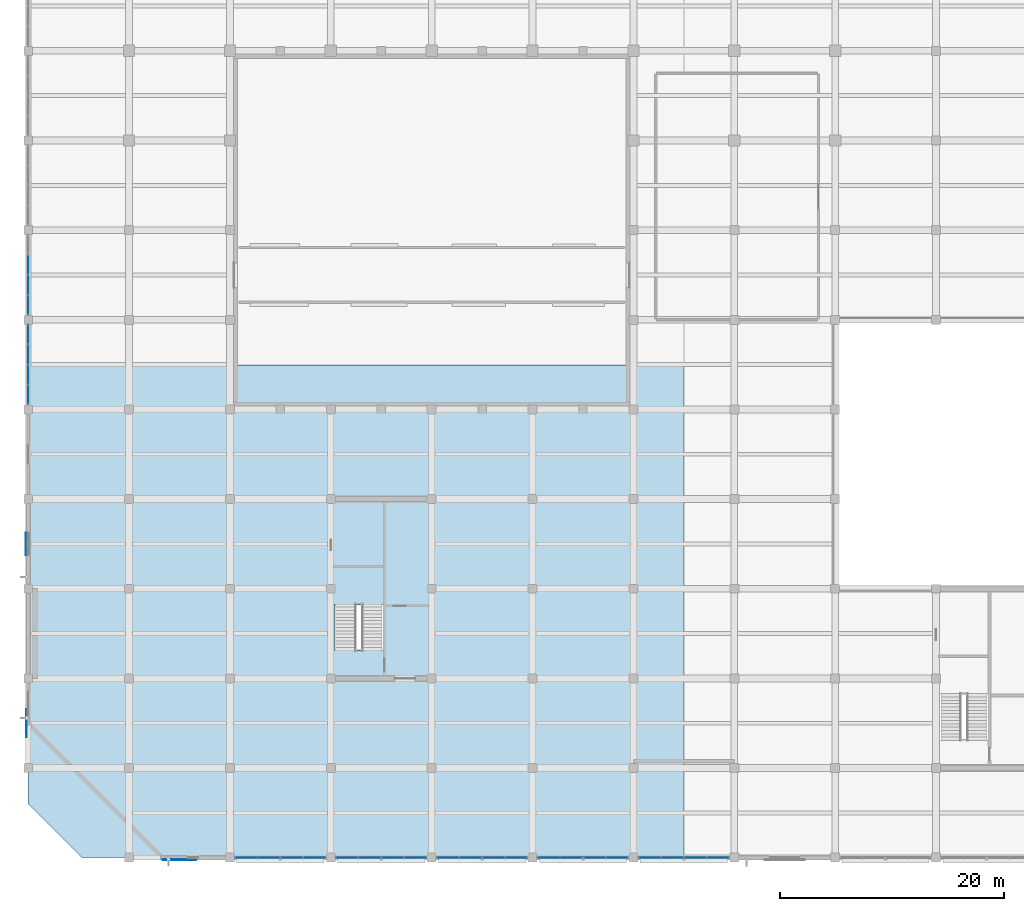
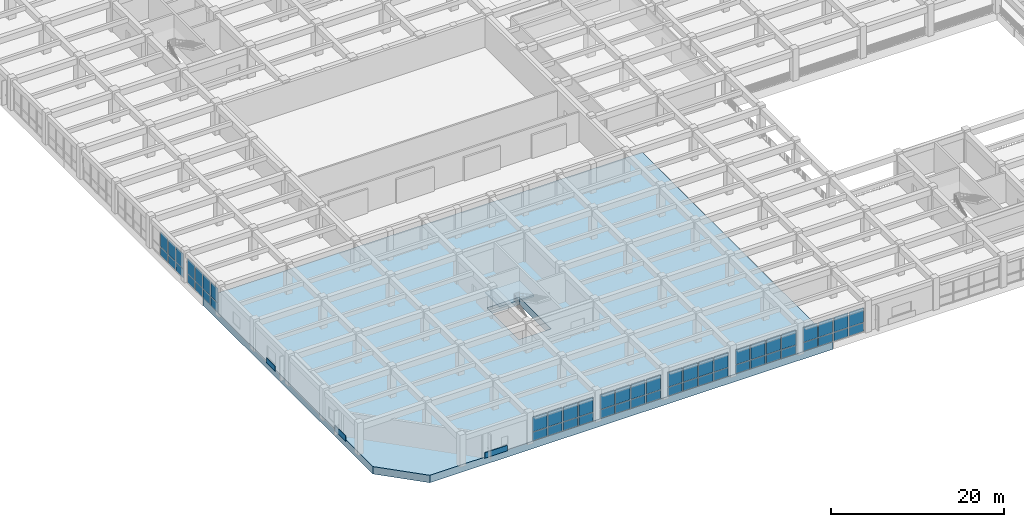
# One storey, part 20 of 50: 57 plates, 2 slabs, 8 elements without a shape of their own.
"""IFC4 building model written with IfcOpenShell, lengths in metres."""

from ifc_helpers import new_model, si_unit, direction, frame, frame_2d, origin, place, context, subcontext, project, spatial, polyline, rectangle, outline, extrude, material, layer, layer_set, type_object, element, aggregate, save


model = new_model("IFC4")

# Units and contexts
model_context = context("Model", 3, precision=1e-05, world=origin(), true_north=direction((0.0, 1.0)))
body_context = subcontext(model_context, "Body", "Model", "MODEL_VIEW")
ifc_project = project(units=[si_unit("LENGTHUNIT", "METRE"), si_unit("AREAUNIT", "SQUARE_METRE"), si_unit("VOLUMEUNIT", "CUBIC_METRE"), si_unit("PLANEANGLEUNIT", "RADIAN"), si_unit("MASSUNIT", "GRAM", prefix="KILO")], contexts=[model_context])

# Site, building, storey
site_placement = place(None, origin())
site = spatial("IfcSite", under=ifc_project, at=site_placement, CompositionType="ELEMENT")
building_placement = place(site_placement, origin())
building = spatial("IfcBuilding", under=site, at=building_placement, Name="Zaverband Oceanarium and Marine Research Institute", CompositionType="ELEMENT")
storey_placement = place(building_placement, frame((0.0, 0.0, 4.5)))
storey = spatial("IfcBuildingStorey", under=building, at=storey_placement, Name="L01", CompositionType="ELEMENT", Elevation=4.5)

# Curtain wall, plates
ifc_material_1 = material(Name="Thermally broken anodized aluminium and solar-control glass", Category="aluminium")
curtain_wall_type = type_object("IfcCurtainWallType", Name="CW-UNIT-1800", PredefinedType="NOTDEFINED", material=ifc_material_1)
curtain_wall_1_placement = place(storey_placement, origin())
curtain_wall_1 = element("IfcCurtainWall", 1, at=curtain_wall_1_placement, inside=storey, type_object=curtain_wall_type, Name="Unitised glazed curtain wall CW-029", PredefinedType="NOTDEFINED")
ifc_material_2 = material(Name="Low-E double-glazed solar-control glass", Category="glass")
ifc_layer_1 = layer(ifc_material_2, 0.033935546875, Name="Low-E double-glazed solar-control glass")
ifc_layer_set_1 = layer_set([ifc_layer_1], Name="Low-E double-glazed solar-control glass")
plate_type_1 = type_object("IfcPlateType", Name="CWP-1515x1211", PredefinedType="CURTAIN_PANEL", material=ifc_layer_set_1)
plate_1_placement = place(storey_placement, frame((0.0, 40.485107421875, 0.050048828125), z_axis=(0.0, 0.0, 1.0), x_axis=(0.0, 1.0, 0.0)))
plate_1 = element("IfcPlate", 2, at=plate_1_placement, type_object=plate_type_1, Name="Glazed curtain wall panel CWP-1515x1211", PredefinedType="CURTAIN_PANEL", context=body_context, shape_type="SweptSolid", body=[
    extrude(rectangle(XDim=1.637451171875, YDim=0.033935546875, at=frame_2d((0.81884765625, 0.0))), origin(), (0.0, 0.0, 1.0), 1.2109375),
])
plate_2_placement = place(storey_placement, frame((0.0, 42.282470703125, 0.050048828125), z_axis=(0.0, 0.0, 1.0), x_axis=(0.0, 1.0, 0.0)))
plate_2 = element("IfcPlate", 3, at=plate_2_placement, type_object=plate_type_1, Name="Glazed curtain wall panel CWP-1515x1211", PredefinedType="CURTAIN_PANEL", context=body_context, shape_type="SweptSolid", body=[
    extrude(rectangle(XDim=1.637451171875, YDim=0.033935546875, at=frame_2d((0.81884765625, 0.0))), origin(), (0.0, 0.0, 1.0), 1.2109375),
])
plate_3_placement = place(storey_placement, frame((0.0, 44.080078125, 0.050048828125), z_axis=(0.0, 0.0, 1.0), x_axis=(0.0, 1.0, 0.0)))
plate_3 = element("IfcPlate", 4, at=plate_3_placement, type_object=plate_type_1, Name="Glazed curtain wall panel CWP-1515x1211", PredefinedType="CURTAIN_PANEL", context=body_context, shape_type="SweptSolid", body=[
    extrude(rectangle(XDim=1.637451171875, YDim=0.033935546875, at=frame_2d((0.81884765625, 0.0))), origin(), (0.0, 0.0, 1.0), 1.2109375),
])
plate_4_placement = place(storey_placement, frame((0.0, 45.87744140625, 0.050048828125), z_axis=(0.0, 0.0, 1.0), x_axis=(0.0, 1.0, 0.0)))
plate_4 = element("IfcPlate", 5, at=plate_4_placement, type_object=plate_type_1, Name="Glazed curtain wall panel CWP-1515x1211", PredefinedType="CURTAIN_PANEL", context=body_context, shape_type="SweptSolid", body=[
    extrude(rectangle(XDim=1.637451171875, YDim=0.033935546875, at=frame_2d((0.81884765625, 0.0))), origin(), (0.0, 0.0, 1.0), 1.2109375),
])

curtain_wall_2_placement = place(storey_placement, origin())
curtain_wall_2 = element("IfcCurtainWall", 6, at=curtain_wall_2_placement, inside=storey, type_object=curtain_wall_type, Name="Unitised glazed curtain wall CW-030", PredefinedType="NOTDEFINED")
plate_5_placement = place(storey_placement, frame((0.0, 48.485107421875, 0.050048828125), z_axis=(0.0, 0.0, 1.0), x_axis=(0.0, 1.0, 0.0)))
plate_5 = element("IfcPlate", 7, at=plate_5_placement, type_object=plate_type_1, Name="Glazed curtain wall panel CWP-1515x1211", PredefinedType="CURTAIN_PANEL", context=body_context, shape_type="SweptSolid", body=[
    extrude(rectangle(XDim=1.637451171875, YDim=0.033935546875, at=frame_2d((0.81884765625, 0.0))), origin(), (0.0, 0.0, 1.0), 1.2109375),
])
plate_6_placement = place(storey_placement, frame((0.0, 50.282470703125, 0.050048828125), z_axis=(0.0, 0.0, 1.0), x_axis=(0.0, 1.0, 0.0)))
plate_6 = element("IfcPlate", 8, at=plate_6_placement, type_object=plate_type_1, Name="Glazed curtain wall panel CWP-1515x1211", PredefinedType="CURTAIN_PANEL", context=body_context, shape_type="SweptSolid", body=[
    extrude(rectangle(XDim=1.637451171875, YDim=0.033935546875, at=frame_2d((0.81884765625, 0.0))), origin(), (0.0, 0.0, 1.0), 1.2109375),
])
plate_7_placement = place(storey_placement, frame((0.0, 52.080078125, 0.050048828125), z_axis=(0.0, 0.0, 1.0), x_axis=(0.0, 1.0, 0.0)))
plate_7 = element("IfcPlate", 9, at=plate_7_placement, type_object=plate_type_1, Name="Glazed curtain wall panel CWP-1515x1211", PredefinedType="CURTAIN_PANEL", context=body_context, shape_type="SweptSolid", body=[
    extrude(rectangle(XDim=1.637451171875, YDim=0.033935546875, at=frame_2d((0.81884765625, 0.0))), origin(), (0.0, 0.0, 1.0), 1.2109375),
])

# Plate
ifc_layer_2 = layer(ifc_material_2, 0.035888671875, Name="Low-E double-glazed solar-control glass")
ifc_layer_set_2 = layer_set([ifc_layer_2], Name="Low-E double-glazed solar-control glass")
plate_type_2 = type_object("IfcPlateType", Name="CWP-1515x2089", PredefinedType="CURTAIN_PANEL", material=ifc_layer_set_2)
plate_8_placement = place(storey_placement, frame((0.0, 40.485107421875, 1.3310546875), z_axis=(0.0, 0.0, 1.0), x_axis=(0.0, 1.0, 0.0)))
plate_8 = element("IfcPlate", 10, at=plate_8_placement, type_object=plate_type_2, Name="Glazed curtain wall panel CWP-1515x2089", PredefinedType="CURTAIN_PANEL", context=body_context, shape_type="SweptSolid", body=[
    extrude(rectangle(XDim=1.637451171875, YDim=0.035888671875, at=frame_2d((0.81884765625, 0.0))), origin(), (0.0, 0.0, 1.0), 2.0888671875),
])

plate_9_placement = place(storey_placement, frame((0.0, 42.282470703125, 1.3310546875), z_axis=(0.0, 0.0, 1.0), x_axis=(0.0, 1.0, 0.0)))
plate_9 = element("IfcPlate", 11, at=plate_9_placement, type_object=plate_type_2, Name="Glazed curtain wall panel CWP-1515x2089", PredefinedType="CURTAIN_PANEL", context=body_context, shape_type="SweptSolid", body=[
    extrude(rectangle(XDim=1.637451171875, YDim=0.035888671875, at=frame_2d((0.81884765625, 0.0))), origin(), (0.0, 0.0, 1.0), 2.0888671875),
])

plate_10_placement = place(storey_placement, frame((0.0, 44.080078125, 1.3310546875), z_axis=(0.0, 0.0, 1.0), x_axis=(0.0, 1.0, 0.0)))
plate_10 = element("IfcPlate", 12, at=plate_10_placement, type_object=plate_type_2, Name="Glazed curtain wall panel CWP-1515x2089", PredefinedType="CURTAIN_PANEL", context=body_context, shape_type="SweptSolid", body=[
    extrude(rectangle(XDim=1.637451171875, YDim=0.035888671875, at=frame_2d((0.81884765625, 0.0))), origin(), (0.0, 0.0, 1.0), 2.0888671875),
])

plate_11_placement = place(storey_placement, frame((0.0, 45.87744140625, 1.3310546875), z_axis=(0.0, 0.0, 1.0), x_axis=(0.0, 1.0, 0.0)))
plate_11 = element("IfcPlate", 13, at=plate_11_placement, type_object=plate_type_2, Name="Glazed curtain wall panel CWP-1515x2089", PredefinedType="CURTAIN_PANEL", context=body_context, shape_type="SweptSolid", body=[
    extrude(rectangle(XDim=1.637451171875, YDim=0.035888671875, at=frame_2d((0.81884765625, 0.0))), origin(), (0.0, 0.0, 1.0), 2.0888671875),
])

aggregate(curtain_wall_1, [plate_1, plate_8, plate_2, plate_9, plate_3, plate_10, plate_4, plate_11])

plate_12_placement = place(storey_placement, frame((0.0, 48.485107421875, 1.3310546875), z_axis=(0.0, 0.0, 1.0), x_axis=(0.0, 1.0, 0.0)))
plate_12 = element("IfcPlate", 14, at=plate_12_placement, type_object=plate_type_2, Name="Glazed curtain wall panel CWP-1515x2089", PredefinedType="CURTAIN_PANEL", context=body_context, shape_type="SweptSolid", body=[
    extrude(rectangle(XDim=1.637451171875, YDim=0.035888671875, at=frame_2d((0.81884765625, 0.0))), origin(), (0.0, 0.0, 1.0), 2.0888671875),
])

plate_13_placement = place(storey_placement, frame((0.0, 50.282470703125, 1.3310546875), z_axis=(0.0, 0.0, 1.0), x_axis=(0.0, 1.0, 0.0)))
plate_13 = element("IfcPlate", 15, at=plate_13_placement, type_object=plate_type_2, Name="Glazed curtain wall panel CWP-1515x2089", PredefinedType="CURTAIN_PANEL", context=body_context, shape_type="SweptSolid", body=[
    extrude(rectangle(XDim=1.637451171875, YDim=0.035888671875, at=frame_2d((0.81884765625, 0.0))), origin(), (0.0, 0.0, 1.0), 2.0888671875),
])

plate_14_placement = place(storey_placement, frame((0.0, 52.080078125, 1.3310546875), z_axis=(0.0, 0.0, 1.0), x_axis=(0.0, 1.0, 0.0)))
plate_14 = element("IfcPlate", 16, at=plate_14_placement, type_object=plate_type_2, Name="Glazed curtain wall panel CWP-1515x2089", PredefinedType="CURTAIN_PANEL", context=body_context, shape_type="SweptSolid", body=[
    extrude(rectangle(XDim=1.637451171875, YDim=0.035888671875, at=frame_2d((0.81884765625, 0.0))), origin(), (0.0, 0.0, 1.0), 2.0888671875),
])

aggregate(curtain_wall_2, [plate_5, plate_12, plate_6, plate_13, plate_7, plate_14])

# Curtain wall, plates
curtain_wall_3_placement = place(storey_placement, origin())
curtain_wall_3 = element("IfcCurtainWall", 17, at=curtain_wall_3_placement, inside=storey, type_object=curtain_wall_type, Name="Unitised glazed curtain wall CW-012", PredefinedType="NOTDEFINED")
ifc_layer_3 = layer(ifc_material_2, 0.033935546875, Name="Low-E double-glazed solar-control glass")
ifc_layer_set_3 = layer_set([ifc_layer_3], Name="Low-E double-glazed solar-control glass")
plate_type_3 = type_object("IfcPlateType", Name="CWP-1765x1211", PredefinedType="CURTAIN_PANEL", material=ifc_layer_set_3)
plate_15_placement = place(storey_placement, frame((18.485107421875, 0.0, 0.050048828125), z_axis=(0.0, 0.0, 1.0), x_axis=(1.0, 0.0, 0.0)))
plate_15 = element("IfcPlate", 18, at=plate_15_placement, type_object=plate_type_3, Name="Glazed curtain wall panel CWP-1765x1211", PredefinedType="CURTAIN_PANEL", context=body_context, shape_type="SweptSolid", body=[
    extrude(rectangle(XDim=1.887451171875, YDim=0.033935546875, at=frame_2d((0.94384765625, 0.0))), origin(), (0.0, 0.0, 1.0), 1.2109375),
])
plate_16_placement = place(storey_placement, frame((20.532470703125, 0.0, 0.050048828125), z_axis=(0.0, 0.0, 1.0), x_axis=(1.0, 0.0, 0.0)))
plate_16 = element("IfcPlate", 19, at=plate_16_placement, type_object=plate_type_3, Name="Glazed curtain wall panel CWP-1765x1211", PredefinedType="CURTAIN_PANEL", context=body_context, shape_type="SweptSolid", body=[
    extrude(rectangle(XDim=1.887451171875, YDim=0.033935546875, at=frame_2d((0.94384765625, 0.0))), origin(), (0.0, 0.0, 1.0), 1.2109375),
])
plate_17_placement = place(storey_placement, frame((22.580078125, 0.0, 0.050048828125), z_axis=(0.0, 0.0, 1.0), x_axis=(1.0, 0.0, 0.0)))
plate_17 = element("IfcPlate", 20, at=plate_17_placement, type_object=plate_type_3, Name="Glazed curtain wall panel CWP-1765x1211", PredefinedType="CURTAIN_PANEL", context=body_context, shape_type="SweptSolid", body=[
    extrude(rectangle(XDim=1.887451171875, YDim=0.033935546875, at=frame_2d((0.94384765625, 0.0))), origin(), (0.0, 0.0, 1.0), 1.2109375),
])
plate_18_placement = place(storey_placement, frame((24.62744140625, 0.0, 0.050048828125), z_axis=(0.0, 0.0, 1.0), x_axis=(1.0, 0.0, 0.0)))
plate_18 = element("IfcPlate", 21, at=plate_18_placement, type_object=plate_type_3, Name="Glazed curtain wall panel CWP-1765x1211", PredefinedType="CURTAIN_PANEL", context=body_context, shape_type="SweptSolid", body=[
    extrude(rectangle(XDim=1.887451171875, YDim=0.033935546875, at=frame_2d((0.94384765625, 0.0))), origin(), (0.0, 0.0, 1.0), 1.2109375),
])

curtain_wall_4_placement = place(storey_placement, origin())
curtain_wall_4 = element("IfcCurtainWall", 22, at=curtain_wall_4_placement, inside=storey, type_object=curtain_wall_type, Name="Unitised glazed curtain wall CW-013", PredefinedType="NOTDEFINED")
plate_19_placement = place(storey_placement, frame((27.485107421875, 0.0, 0.050048828125), z_axis=(0.0, 0.0, 1.0), x_axis=(1.0, 0.0, 0.0)))
plate_19 = element("IfcPlate", 23, at=plate_19_placement, type_object=plate_type_3, Name="Glazed curtain wall panel CWP-1765x1211", PredefinedType="CURTAIN_PANEL", context=body_context, shape_type="SweptSolid", body=[
    extrude(rectangle(XDim=1.887451171875, YDim=0.033935546875, at=frame_2d((0.94384765625, 0.0))), origin(), (0.0, 0.0, 1.0), 1.2109375),
])
plate_20_placement = place(storey_placement, frame((29.532470703125, 0.0, 0.050048828125), z_axis=(0.0, 0.0, 1.0), x_axis=(1.0, 0.0, 0.0)))
plate_20 = element("IfcPlate", 24, at=plate_20_placement, type_object=plate_type_3, Name="Glazed curtain wall panel CWP-1765x1211", PredefinedType="CURTAIN_PANEL", context=body_context, shape_type="SweptSolid", body=[
    extrude(rectangle(XDim=1.887451171875, YDim=0.033935546875, at=frame_2d((0.94384765625, 0.0))), origin(), (0.0, 0.0, 1.0), 1.2109375),
])
plate_21_placement = place(storey_placement, frame((31.580078125, 0.0, 0.050048828125), z_axis=(0.0, 0.0, 1.0), x_axis=(1.0, 0.0, 0.0)))
plate_21 = element("IfcPlate", 25, at=plate_21_placement, type_object=plate_type_3, Name="Glazed curtain wall panel CWP-1765x1211", PredefinedType="CURTAIN_PANEL", context=body_context, shape_type="SweptSolid", body=[
    extrude(rectangle(XDim=1.887451171875, YDim=0.033935546875, at=frame_2d((0.94384765625, 0.0))), origin(), (0.0, 0.0, 1.0), 1.2109375),
])
plate_22_placement = place(storey_placement, frame((33.62744140625, 0.0, 0.050048828125), z_axis=(0.0, 0.0, 1.0), x_axis=(1.0, 0.0, 0.0)))
plate_22 = element("IfcPlate", 26, at=plate_22_placement, type_object=plate_type_3, Name="Glazed curtain wall panel CWP-1765x1211", PredefinedType="CURTAIN_PANEL", context=body_context, shape_type="SweptSolid", body=[
    extrude(rectangle(XDim=1.887451171875, YDim=0.033935546875, at=frame_2d((0.94384765625, 0.0))), origin(), (0.0, 0.0, 1.0), 1.2109375),
])

curtain_wall_5_placement = place(storey_placement, origin())
curtain_wall_5 = element("IfcCurtainWall", 27, at=curtain_wall_5_placement, inside=storey, type_object=curtain_wall_type, Name="Unitised glazed curtain wall CW-014", PredefinedType="NOTDEFINED")
plate_23_placement = place(storey_placement, frame((36.485107421875, 0.0, 0.050048828125), z_axis=(0.0, 0.0, 1.0), x_axis=(1.0, 0.0, 0.0)))
plate_23 = element("IfcPlate", 28, at=plate_23_placement, type_object=plate_type_3, Name="Glazed curtain wall panel CWP-1765x1211", PredefinedType="CURTAIN_PANEL", context=body_context, shape_type="SweptSolid", body=[
    extrude(rectangle(XDim=1.887451171875, YDim=0.033935546875, at=frame_2d((0.94384765625, 0.0))), origin(), (0.0, 0.0, 1.0), 1.2109375),
])
plate_24_placement = place(storey_placement, frame((38.532470703125, 0.0, 0.050048828125), z_axis=(0.0, 0.0, 1.0), x_axis=(1.0, 0.0, 0.0)))
plate_24 = element("IfcPlate", 29, at=plate_24_placement, type_object=plate_type_3, Name="Glazed curtain wall panel CWP-1765x1211", PredefinedType="CURTAIN_PANEL", context=body_context, shape_type="SweptSolid", body=[
    extrude(rectangle(XDim=1.887451171875, YDim=0.033935546875, at=frame_2d((0.94384765625, 0.0))), origin(), (0.0, 0.0, 1.0), 1.2109375),
])
plate_25_placement = place(storey_placement, frame((40.580078125, 0.0, 0.050048828125), z_axis=(0.0, 0.0, 1.0), x_axis=(1.0, 0.0, 0.0)))
plate_25 = element("IfcPlate", 30, at=plate_25_placement, type_object=plate_type_3, Name="Glazed curtain wall panel CWP-1765x1211", PredefinedType="CURTAIN_PANEL", context=body_context, shape_type="SweptSolid", body=[
    extrude(rectangle(XDim=1.887451171875, YDim=0.033935546875, at=frame_2d((0.94384765625, 0.0))), origin(), (0.0, 0.0, 1.0), 1.2109375),
])
plate_26_placement = place(storey_placement, frame((42.62744140625, 0.0, 0.050048828125), z_axis=(0.0, 0.0, 1.0), x_axis=(1.0, 0.0, 0.0)))
plate_26 = element("IfcPlate", 31, at=plate_26_placement, type_object=plate_type_3, Name="Glazed curtain wall panel CWP-1765x1211", PredefinedType="CURTAIN_PANEL", context=body_context, shape_type="SweptSolid", body=[
    extrude(rectangle(XDim=1.887451171875, YDim=0.033935546875, at=frame_2d((0.94384765625, 0.0))), origin(), (0.0, 0.0, 1.0), 1.2109375),
])

curtain_wall_6_placement = place(storey_placement, origin())
curtain_wall_6 = element("IfcCurtainWall", 32, at=curtain_wall_6_placement, inside=storey, type_object=curtain_wall_type, Name="Unitised glazed curtain wall CW-015", PredefinedType="NOTDEFINED")
plate_27_placement = place(storey_placement, frame((45.485107421875, 0.0, 0.050048828125), z_axis=(0.0, 0.0, 1.0), x_axis=(1.0, 0.0, 0.0)))
plate_27 = element("IfcPlate", 33, at=plate_27_placement, type_object=plate_type_3, Name="Glazed curtain wall panel CWP-1765x1211", PredefinedType="CURTAIN_PANEL", context=body_context, shape_type="SweptSolid", body=[
    extrude(rectangle(XDim=1.887451171875, YDim=0.033935546875, at=frame_2d((0.94384765625, 0.0))), origin(), (0.0, 0.0, 1.0), 1.2109375),
])
plate_28_placement = place(storey_placement, frame((47.532470703125, 0.0, 0.050048828125), z_axis=(0.0, 0.0, 1.0), x_axis=(1.0, 0.0, 0.0)))
plate_28 = element("IfcPlate", 34, at=plate_28_placement, type_object=plate_type_3, Name="Glazed curtain wall panel CWP-1765x1211", PredefinedType="CURTAIN_PANEL", context=body_context, shape_type="SweptSolid", body=[
    extrude(rectangle(XDim=1.887451171875, YDim=0.033935546875, at=frame_2d((0.94384765625, 0.0))), origin(), (0.0, 0.0, 1.0), 1.2109375),
])
plate_29_placement = place(storey_placement, frame((49.580078125, 0.0, 0.050048828125), z_axis=(0.0, 0.0, 1.0), x_axis=(1.0, 0.0, 0.0)))
plate_29 = element("IfcPlate", 35, at=plate_29_placement, type_object=plate_type_3, Name="Glazed curtain wall panel CWP-1765x1211", PredefinedType="CURTAIN_PANEL", context=body_context, shape_type="SweptSolid", body=[
    extrude(rectangle(XDim=1.887451171875, YDim=0.033935546875, at=frame_2d((0.94384765625, 0.0))), origin(), (0.0, 0.0, 1.0), 1.2109375),
])
plate_30_placement = place(storey_placement, frame((51.62744140625, 0.0, 0.050048828125), z_axis=(0.0, 0.0, 1.0), x_axis=(1.0, 0.0, 0.0)))
plate_30 = element("IfcPlate", 36, at=plate_30_placement, type_object=plate_type_3, Name="Glazed curtain wall panel CWP-1765x1211", PredefinedType="CURTAIN_PANEL", context=body_context, shape_type="SweptSolid", body=[
    extrude(rectangle(XDim=1.887451171875, YDim=0.033935546875, at=frame_2d((0.94384765625, 0.0))), origin(), (0.0, 0.0, 1.0), 1.2109375),
])

curtain_wall_7_placement = place(storey_placement, origin())
curtain_wall_7 = element("IfcCurtainWall", 37, at=curtain_wall_7_placement, inside=storey, type_object=curtain_wall_type, Name="Unitised glazed curtain wall CW-016", PredefinedType="NOTDEFINED")
plate_31_placement = place(storey_placement, frame((54.485107421875, 0.0, 0.050048828125), z_axis=(0.0, 0.0, 1.0), x_axis=(1.0, 0.0, 0.0)))
plate_31 = element("IfcPlate", 38, at=plate_31_placement, type_object=plate_type_3, Name="Glazed curtain wall panel CWP-1765x1211", PredefinedType="CURTAIN_PANEL", context=body_context, shape_type="SweptSolid", body=[
    extrude(rectangle(XDim=1.887451171875, YDim=0.033935546875, at=frame_2d((0.94384765625, 0.0))), origin(), (0.0, 0.0, 1.0), 1.2109375),
])
plate_32_placement = place(storey_placement, frame((56.532470703125, 0.0, 0.050048828125), z_axis=(0.0, 0.0, 1.0), x_axis=(1.0, 0.0, 0.0)))
plate_32 = element("IfcPlate", 39, at=plate_32_placement, type_object=plate_type_3, Name="Glazed curtain wall panel CWP-1765x1211", PredefinedType="CURTAIN_PANEL", context=body_context, shape_type="SweptSolid", body=[
    extrude(rectangle(XDim=1.887451171875, YDim=0.033935546875, at=frame_2d((0.94384765625, 0.0))), origin(), (0.0, 0.0, 1.0), 1.2109375),
])
plate_33_placement = place(storey_placement, frame((58.580078125, 0.0, 0.050048828125), z_axis=(0.0, 0.0, 1.0), x_axis=(1.0, 0.0, 0.0)))
plate_33 = element("IfcPlate", 40, at=plate_33_placement, type_object=plate_type_3, Name="Glazed curtain wall panel CWP-1765x1211", PredefinedType="CURTAIN_PANEL", context=body_context, shape_type="SweptSolid", body=[
    extrude(rectangle(XDim=1.887451171875, YDim=0.033935546875, at=frame_2d((0.94384765625, 0.0))), origin(), (0.0, 0.0, 1.0), 1.2109375),
])
plate_34_placement = place(storey_placement, frame((60.62744140625, 0.0, 0.050048828125), z_axis=(0.0, 0.0, 1.0), x_axis=(1.0, 0.0, 0.0)))
plate_34 = element("IfcPlate", 41, at=plate_34_placement, type_object=plate_type_3, Name="Glazed curtain wall panel CWP-1765x1211", PredefinedType="CURTAIN_PANEL", context=body_context, shape_type="SweptSolid", body=[
    extrude(rectangle(XDim=1.887451171875, YDim=0.033935546875, at=frame_2d((0.94384765625, 0.0))), origin(), (0.0, 0.0, 1.0), 1.2109375),
])

# Plate
ifc_layer_4 = layer(ifc_material_2, 0.035888671875, Name="Low-E double-glazed solar-control glass")
ifc_layer_set_4 = layer_set([ifc_layer_4], Name="Low-E double-glazed solar-control glass")
plate_type_4 = type_object("IfcPlateType", Name="CWP-1765x2089", PredefinedType="CURTAIN_PANEL", material=ifc_layer_set_4)
plate_35_placement = place(storey_placement, frame((18.485107421875, 0.0, 1.3310546875), z_axis=(0.0, 0.0, 1.0), x_axis=(1.0, 0.0, 0.0)))
plate_35 = element("IfcPlate", 42, at=plate_35_placement, type_object=plate_type_4, Name="Glazed curtain wall panel CWP-1765x2089", PredefinedType="CURTAIN_PANEL", context=body_context, shape_type="SweptSolid", body=[
    extrude(rectangle(XDim=1.887451171875, YDim=0.035888671875, at=frame_2d((0.94384765625, 0.0))), origin(), (0.0, 0.0, 1.0), 2.0888671875),
])

plate_36_placement = place(storey_placement, frame((20.532470703125, 0.0, 1.3310546875), z_axis=(0.0, 0.0, 1.0), x_axis=(1.0, 0.0, 0.0)))
plate_36 = element("IfcPlate", 43, at=plate_36_placement, type_object=plate_type_4, Name="Glazed curtain wall panel CWP-1765x2089", PredefinedType="CURTAIN_PANEL", context=body_context, shape_type="SweptSolid", body=[
    extrude(rectangle(XDim=1.887451171875, YDim=0.035888671875, at=frame_2d((0.94384765625, 0.0))), origin(), (0.0, 0.0, 1.0), 2.0888671875),
])

plate_37_placement = place(storey_placement, frame((22.580078125, 0.0, 1.3310546875), z_axis=(0.0, 0.0, 1.0), x_axis=(1.0, 0.0, 0.0)))
plate_37 = element("IfcPlate", 44, at=plate_37_placement, type_object=plate_type_4, Name="Glazed curtain wall panel CWP-1765x2089", PredefinedType="CURTAIN_PANEL", context=body_context, shape_type="SweptSolid", body=[
    extrude(rectangle(XDim=1.887451171875, YDim=0.035888671875, at=frame_2d((0.94384765625, 0.0))), origin(), (0.0, 0.0, 1.0), 2.0888671875),
])

plate_38_placement = place(storey_placement, frame((24.62744140625, 0.0, 1.3310546875), z_axis=(0.0, 0.0, 1.0), x_axis=(1.0, 0.0, 0.0)))
plate_38 = element("IfcPlate", 45, at=plate_38_placement, type_object=plate_type_4, Name="Glazed curtain wall panel CWP-1765x2089", PredefinedType="CURTAIN_PANEL", context=body_context, shape_type="SweptSolid", body=[
    extrude(rectangle(XDim=1.887451171875, YDim=0.035888671875, at=frame_2d((0.94384765625, 0.0))), origin(), (0.0, 0.0, 1.0), 2.0888671875),
])

aggregate(curtain_wall_3, [plate_15, plate_35, plate_16, plate_36, plate_17, plate_37, plate_18, plate_38])

plate_39_placement = place(storey_placement, frame((27.485107421875, 0.0, 1.3310546875), z_axis=(0.0, 0.0, 1.0), x_axis=(1.0, 0.0, 0.0)))
plate_39 = element("IfcPlate", 46, at=plate_39_placement, type_object=plate_type_4, Name="Glazed curtain wall panel CWP-1765x2089", PredefinedType="CURTAIN_PANEL", context=body_context, shape_type="SweptSolid", body=[
    extrude(rectangle(XDim=1.887451171875, YDim=0.035888671875, at=frame_2d((0.94384765625, 0.0))), origin(), (0.0, 0.0, 1.0), 2.0888671875),
])

plate_40_placement = place(storey_placement, frame((29.532470703125, 0.0, 1.3310546875), z_axis=(0.0, 0.0, 1.0), x_axis=(1.0, 0.0, 0.0)))
plate_40 = element("IfcPlate", 47, at=plate_40_placement, type_object=plate_type_4, Name="Glazed curtain wall panel CWP-1765x2089", PredefinedType="CURTAIN_PANEL", context=body_context, shape_type="SweptSolid", body=[
    extrude(rectangle(XDim=1.887451171875, YDim=0.035888671875, at=frame_2d((0.94384765625, 0.0))), origin(), (0.0, 0.0, 1.0), 2.0888671875),
])

plate_41_placement = place(storey_placement, frame((31.580078125, 0.0, 1.3310546875), z_axis=(0.0, 0.0, 1.0), x_axis=(1.0, 0.0, 0.0)))
plate_41 = element("IfcPlate", 48, at=plate_41_placement, type_object=plate_type_4, Name="Glazed curtain wall panel CWP-1765x2089", PredefinedType="CURTAIN_PANEL", context=body_context, shape_type="SweptSolid", body=[
    extrude(rectangle(XDim=1.887451171875, YDim=0.035888671875, at=frame_2d((0.94384765625, 0.0))), origin(), (0.0, 0.0, 1.0), 2.0888671875),
])

plate_42_placement = place(storey_placement, frame((33.62744140625, 0.0, 1.3310546875), z_axis=(0.0, 0.0, 1.0), x_axis=(1.0, 0.0, 0.0)))
plate_42 = element("IfcPlate", 49, at=plate_42_placement, type_object=plate_type_4, Name="Glazed curtain wall panel CWP-1765x2089", PredefinedType="CURTAIN_PANEL", context=body_context, shape_type="SweptSolid", body=[
    extrude(rectangle(XDim=1.887451171875, YDim=0.035888671875, at=frame_2d((0.94384765625, 0.0))), origin(), (0.0, 0.0, 1.0), 2.0888671875),
])

aggregate(curtain_wall_4, [plate_19, plate_39, plate_20, plate_40, plate_21, plate_41, plate_22, plate_42])

plate_43_placement = place(storey_placement, frame((36.485107421875, 0.0, 1.3310546875), z_axis=(0.0, 0.0, 1.0), x_axis=(1.0, 0.0, 0.0)))
plate_43 = element("IfcPlate", 50, at=plate_43_placement, type_object=plate_type_4, Name="Glazed curtain wall panel CWP-1765x2089", PredefinedType="CURTAIN_PANEL", context=body_context, shape_type="SweptSolid", body=[
    extrude(rectangle(XDim=1.887451171875, YDim=0.035888671875, at=frame_2d((0.94384765625, 0.0))), origin(), (0.0, 0.0, 1.0), 2.0888671875),
])

plate_44_placement = place(storey_placement, frame((38.532470703125, 0.0, 1.3310546875), z_axis=(0.0, 0.0, 1.0), x_axis=(1.0, 0.0, 0.0)))
plate_44 = element("IfcPlate", 51, at=plate_44_placement, type_object=plate_type_4, Name="Glazed curtain wall panel CWP-1765x2089", PredefinedType="CURTAIN_PANEL", context=body_context, shape_type="SweptSolid", body=[
    extrude(rectangle(XDim=1.887451171875, YDim=0.035888671875, at=frame_2d((0.94384765625, 0.0))), origin(), (0.0, 0.0, 1.0), 2.0888671875),
])

plate_45_placement = place(storey_placement, frame((40.580078125, 0.0, 1.3310546875), z_axis=(0.0, 0.0, 1.0), x_axis=(1.0, 0.0, 0.0)))
plate_45 = element("IfcPlate", 52, at=plate_45_placement, type_object=plate_type_4, Name="Glazed curtain wall panel CWP-1765x2089", PredefinedType="CURTAIN_PANEL", context=body_context, shape_type="SweptSolid", body=[
    extrude(rectangle(XDim=1.887451171875, YDim=0.035888671875, at=frame_2d((0.94384765625, 0.0))), origin(), (0.0, 0.0, 1.0), 2.0888671875),
])

plate_46_placement = place(storey_placement, frame((42.62744140625, 0.0, 1.3310546875), z_axis=(0.0, 0.0, 1.0), x_axis=(1.0, 0.0, 0.0)))
plate_46 = element("IfcPlate", 53, at=plate_46_placement, type_object=plate_type_4, Name="Glazed curtain wall panel CWP-1765x2089", PredefinedType="CURTAIN_PANEL", context=body_context, shape_type="SweptSolid", body=[
    extrude(rectangle(XDim=1.887451171875, YDim=0.035888671875, at=frame_2d((0.94384765625, 0.0))), origin(), (0.0, 0.0, 1.0), 2.0888671875),
])

aggregate(curtain_wall_5, [plate_23, plate_43, plate_24, plate_44, plate_25, plate_45, plate_26, plate_46])

plate_47_placement = place(storey_placement, frame((45.485107421875, 0.0, 1.3310546875), z_axis=(0.0, 0.0, 1.0), x_axis=(1.0, 0.0, 0.0)))
plate_47 = element("IfcPlate", 54, at=plate_47_placement, type_object=plate_type_4, Name="Glazed curtain wall panel CWP-1765x2089", PredefinedType="CURTAIN_PANEL", context=body_context, shape_type="SweptSolid", body=[
    extrude(rectangle(XDim=1.887451171875, YDim=0.035888671875, at=frame_2d((0.94384765625, 0.0))), origin(), (0.0, 0.0, 1.0), 2.0888671875),
])

plate_48_placement = place(storey_placement, frame((47.532470703125, 0.0, 1.3310546875), z_axis=(0.0, 0.0, 1.0), x_axis=(1.0, 0.0, 0.0)))
plate_48 = element("IfcPlate", 55, at=plate_48_placement, type_object=plate_type_4, Name="Glazed curtain wall panel CWP-1765x2089", PredefinedType="CURTAIN_PANEL", context=body_context, shape_type="SweptSolid", body=[
    extrude(rectangle(XDim=1.887451171875, YDim=0.035888671875, at=frame_2d((0.94384765625, 0.0))), origin(), (0.0, 0.0, 1.0), 2.0888671875),
])

plate_49_placement = place(storey_placement, frame((49.580078125, 0.0, 1.3310546875), z_axis=(0.0, 0.0, 1.0), x_axis=(1.0, 0.0, 0.0)))
plate_49 = element("IfcPlate", 56, at=plate_49_placement, type_object=plate_type_4, Name="Glazed curtain wall panel CWP-1765x2089", PredefinedType="CURTAIN_PANEL", context=body_context, shape_type="SweptSolid", body=[
    extrude(rectangle(XDim=1.887451171875, YDim=0.035888671875, at=frame_2d((0.94384765625, 0.0))), origin(), (0.0, 0.0, 1.0), 2.0888671875),
])

plate_50_placement = place(storey_placement, frame((51.62744140625, 0.0, 1.3310546875), z_axis=(0.0, 0.0, 1.0), x_axis=(1.0, 0.0, 0.0)))
plate_50 = element("IfcPlate", 57, at=plate_50_placement, type_object=plate_type_4, Name="Glazed curtain wall panel CWP-1765x2089", PredefinedType="CURTAIN_PANEL", context=body_context, shape_type="SweptSolid", body=[
    extrude(rectangle(XDim=1.887451171875, YDim=0.035888671875, at=frame_2d((0.94384765625, 0.0))), origin(), (0.0, 0.0, 1.0), 2.0888671875),
])

aggregate(curtain_wall_6, [plate_27, plate_47, plate_28, plate_48, plate_29, plate_49, plate_30, plate_50])

plate_51_placement = place(storey_placement, frame((54.485107421875, 0.0, 1.3310546875), z_axis=(0.0, 0.0, 1.0), x_axis=(1.0, 0.0, 0.0)))
plate_51 = element("IfcPlate", 58, at=plate_51_placement, type_object=plate_type_4, Name="Glazed curtain wall panel CWP-1765x2089", PredefinedType="CURTAIN_PANEL", context=body_context, shape_type="SweptSolid", body=[
    extrude(rectangle(XDim=1.887451171875, YDim=0.035888671875, at=frame_2d((0.94384765625, 0.0))), origin(), (0.0, 0.0, 1.0), 2.0888671875),
])

plate_52_placement = place(storey_placement, frame((56.532470703125, 0.0, 1.3310546875), z_axis=(0.0, 0.0, 1.0), x_axis=(1.0, 0.0, 0.0)))
plate_52 = element("IfcPlate", 59, at=plate_52_placement, type_object=plate_type_4, Name="Glazed curtain wall panel CWP-1765x2089", PredefinedType="CURTAIN_PANEL", context=body_context, shape_type="SweptSolid", body=[
    extrude(rectangle(XDim=1.887451171875, YDim=0.035888671875, at=frame_2d((0.94384765625, 0.0))), origin(), (0.0, 0.0, 1.0), 2.0888671875),
])

plate_53_placement = place(storey_placement, frame((58.580078125, 0.0, 1.3310546875), z_axis=(0.0, 0.0, 1.0), x_axis=(1.0, 0.0, 0.0)))
plate_53 = element("IfcPlate", 60, at=plate_53_placement, type_object=plate_type_4, Name="Glazed curtain wall panel CWP-1765x2089", PredefinedType="CURTAIN_PANEL", context=body_context, shape_type="SweptSolid", body=[
    extrude(rectangle(XDim=1.887451171875, YDim=0.035888671875, at=frame_2d((0.94384765625, 0.0))), origin(), (0.0, 0.0, 1.0), 2.0888671875),
])

plate_54_placement = place(storey_placement, frame((60.62744140625, 0.0, 1.3310546875), z_axis=(0.0, 0.0, 1.0), x_axis=(1.0, 0.0, 0.0)))
plate_54 = element("IfcPlate", 61, at=plate_54_placement, type_object=plate_type_4, Name="Glazed curtain wall panel CWP-1765x2089", PredefinedType="CURTAIN_PANEL", context=body_context, shape_type="SweptSolid", body=[
    extrude(rectangle(XDim=1.887451171875, YDim=0.035888671875, at=frame_2d((0.94384765625, 0.0))), origin(), (0.0, 0.0, 1.0), 2.0888671875),
])

aggregate(curtain_wall_7, [plate_31, plate_51, plate_32, plate_52, plate_33, plate_53, plate_34, plate_54])

# Plates
ifc_material_3 = material(Name="Concrete C40/50 precast ochre", Category="concrete")
ifc_layer_5 = layer(ifc_material_3, 0.070068359375, Name="Concrete C40/50 precast ochre")
ifc_layer_set_5 = layer_set([ifc_layer_5], Name="Concrete C40/50 precast ochre")
plate_type_5 = type_object("IfcPlateType", Name="FRP-2000x720", PredefinedType="USERDEFINED", material=ifc_layer_set_5)
plate_55_placement = place(storey_placement, frame((-0.1650390625, 27.0, 0.0), z_axis=(0.0, 0.0, 1.0), x_axis=(0.0, 1.0, 0.0)))
element("IfcPlate", 62, at=plate_55_placement, inside=storey, type_object=plate_type_5, Name="Geometric precast facade cladding panel FRP-2000x720", ObjectType="FLANGE_PLATE", PredefinedType="USERDEFINED", context=body_context, shape_type="SweptSolid", body=[
    extrude(rectangle(XDim=2.0, YDim=0.070068359375, at=frame_2d((1.0, 0.0))), origin(), (0.0, 0.0, 1.0), 0.719970703125),
])
ifc_layer_6 = layer(ifc_material_3, 0.074951171875, Name="Concrete C40/50 precast ochre")
ifc_layer_set_6 = layer_set([ifc_layer_6], Name="Concrete C40/50 precast ochre")
plate_type_6 = type_object("IfcPlateType", Name="FRP-2500x750", PredefinedType="USERDEFINED", material=ifc_layer_set_6)
plate_56_placement = place(storey_placement, frame((-0.155029296875, 10.75, 0.0), z_axis=(0.0, 0.0, 1.0), x_axis=(0.0, 1.0, 0.0)))
element("IfcPlate", 63, at=plate_56_placement, inside=storey, type_object=plate_type_6, Name="Geometric precast facade cladding panel FRP-2500x750", ObjectType="FLANGE_PLATE", PredefinedType="USERDEFINED", context=body_context, shape_type="SweptSolid", body=[
    extrude(rectangle(XDim=2.5, YDim=0.074951171875, at=frame_2d((1.25, 0.0))), origin(), (0.0, 0.0, 1.0), 0.75),
])
ifc_layer_7 = layer(ifc_material_3, 0.080078125, Name="Concrete C40/50 precast ochre")
ifc_layer_set_7 = layer_set([ifc_layer_7], Name="Concrete C40/50 precast ochre")
plate_type_7 = type_object("IfcPlateType", Name="FRP-3000x780", PredefinedType="USERDEFINED", material=ifc_layer_set_7)
plate_57_placement = place(storey_placement, frame((12.0, -0.169921875, 0.0), z_axis=(0.0, 0.0, 1.0), x_axis=(1.0, 0.0, 0.0)))
element("IfcPlate", 64, at=plate_57_placement, inside=storey, type_object=plate_type_7, Name="Geometric precast facade cladding panel FRP-3000x780", ObjectType="FLANGE_PLATE", PredefinedType="USERDEFINED", context=body_context, shape_type="SweptSolid", body=[
    extrude(rectangle(XDim=3.0, YDim=0.080078125, at=frame_2d((1.5, 0.0))), origin(), (0.0, 0.0, 1.0), 0.780029296875),
])

# Stair, slab
ifc_material_4 = material(Name="Concrete C40/50", Category="concrete")
stair_type = type_object("IfcStairType", Name="STR-POD-1800-4500", PredefinedType="HALF_TURN_STAIR", material=ifc_material_4)
stair_placement = place(storey_placement, origin())
stair = element("IfcStair", 65, at=stair_placement, inside=storey, type_object=stair_type, Name="Exit Stair ST-03 (L01)", PredefinedType="HALF_TURN_STAIR")
ifc_layer_8 = layer(ifc_material_4, 0.219970703125, Name="Concrete C40/50")
ifc_layer_set_8 = layer_set([ifc_layer_8], Name="Concrete C40/50")
slab_type_1 = type_object("IfcSlabType", Name="SLB-LND-220", PredefinedType="LANDING", material=ifc_layer_set_8)
slab_1_placement = place(storey_placement, frame((0.0, 0.0, 2.030029296875)))
slab_1 = element("IfcSlab", 66, at=slab_1_placement, type_object=slab_type_1, Name="Stair / ramp landing slab SLB-LND-220", PredefinedType="LANDING", context=body_context, shape_type="SweptSolid", body=[
    extrude(outline(polyline([(27.139892578125, 22.570068359375), (31.735107421875, 22.570068359375), (31.735107421875, 25.93505859375), (27.139892578125, 25.93505859375), (27.139892578125, 22.570068359375)])), origin(), (0.0, 0.0, 1.0), 0.219970703125),
])
aggregate(stair, [slab_1])

# Slab
ifc_material_5 = material(Name="Concrete C50/60", Category="concrete")
ifc_layer_9 = layer(ifc_material_5, 1.050048828125, Name="Concrete C50/60")
ifc_layer_set_9 = layer_set([ifc_layer_9], Name="Concrete C50/60")
slab_type_2 = type_object("IfcSlabType", Name="SLB-XFER-1050", PredefinedType="FLOOR", material=ifc_layer_set_9)
slab_2_placement = place(storey_placement, frame((0.0, 0.0, -1.050048828125)))
element("IfcSlab", 67, at=slab_2_placement, inside=storey, type_object=slab_type_2, Name="Heavy transfer slab SLB-XFER-1050", PredefinedType="FLOOR", context=body_context, shape_type="SweptSolid", body=[
    extrude(outline(polyline([(0.0, 4.800048828125), (0.0, 43.985107421875), (58.485107421875, 43.985107421875), (58.485107421875, 0.0), (4.800048828125, 0.0), (0.0, 4.800048828125)]), holes=[polyline([(31.64990234375, 25.85009765625), (27.35009765625, 25.85009765625), (27.35009765625, 18.5), (31.64990234375, 18.5), (31.64990234375, 25.85009765625)])]), origin(), (0.0, 0.0, 1.0), 1.050048828125),
])

save(model, "model.ifc")
